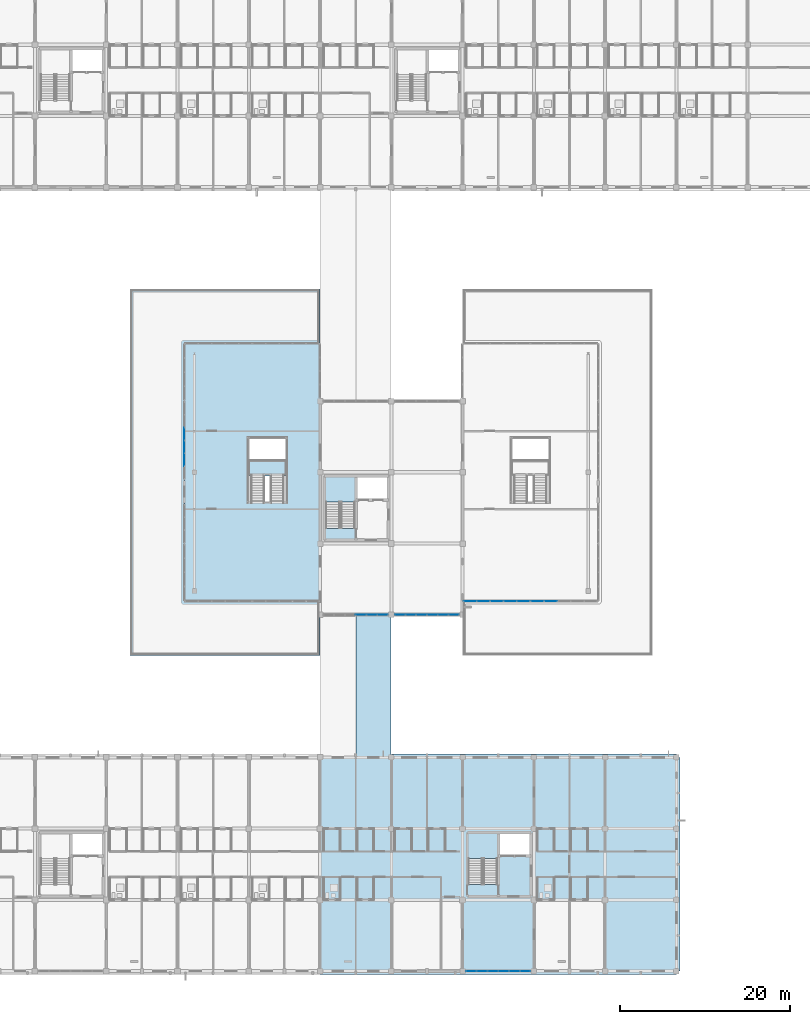
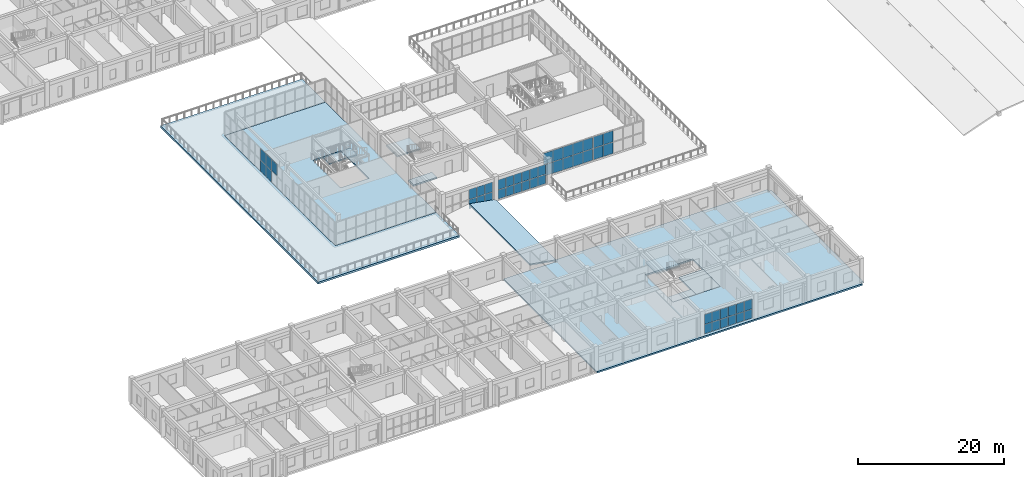
# One storey, part 54 of 90: 49 plates, 10 slabs, 9 elements without a shape of their own.
"""IFC4 building model written with IfcOpenShell, lengths in metres."""

from ifc_helpers import new_model, si_unit, direction, frame, origin, origin_2d, place, context, subcontext, project, spatial, polyline, rectangle, outline, extrude, material, layer, layer_set, type_object, element, aggregate, save


model = new_model("IFC4")

# Units and contexts
model_context = context("Model", 3, precision=1e-05, world=origin(), true_north=direction((0.0, 1.0)))
body_context = subcontext(model_context, "Body", "Model", "MODEL_VIEW")
ifc_project = project(units=[si_unit("LENGTHUNIT", "METRE"), si_unit("AREAUNIT", "SQUARE_METRE"), si_unit("VOLUMEUNIT", "CUBIC_METRE"), si_unit("PLANEANGLEUNIT", "RADIAN"), si_unit("MASSUNIT", "GRAM", prefix="KILO")], contexts=[model_context])

# Site, building, storey
site_placement = place(None, origin())
site = spatial("IfcSite", under=ifc_project, at=site_placement, CompositionType="ELEMENT")
building_placement = place(site_placement, origin())
building = spatial("IfcBuilding", under=site, at=building_placement, Name="Trelvath General Hospital", CompositionType="ELEMENT")
storey_placement = place(building_placement, frame((0.0, 0.0, 20.39990234375)))
storey = spatial("IfcBuildingStorey", under=building, at=storey_placement, Name="L05", CompositionType="ELEMENT", Elevation=20.39990234375)

# Curtain wall, plates
ifc_material_1 = material(Name="Anodised aluminium and low-E glass", Category="aluminium")
ifc_layer_1 = layer(ifc_material_1, 0.14990234375)
ifc_layer_set_1 = layer_set([ifc_layer_1], Name="Anodised aluminium and low-E glass")
curtain_wall_type_1 = type_object("IfcCurtainWallType", Name="CW Facade 764 334 15", PredefinedType="USERDEFINED", material=ifc_layer_set_1)
curtain_wall_1_placement = place(storey_placement, origin())
curtain_wall_1 = element("IfcCurtainWall", 1, at=curtain_wall_1_placement, inside=storey, type_object=curtain_wall_type_1, Name="Facade Curtain Wall CW-074", ObjectType="Unitised Glazed Curtain Wall", PredefinedType="USERDEFINED")
ifc_material_2 = material(Name="Low-E laminated glass", Category="glass")
ifc_layer_2 = layer(ifc_material_2, 0.028076171875)
ifc_layer_set_2 = layer_set([ifc_layer_2], Name="Low-E laminated glass")
plate_type_1 = type_object("IfcPlateType", Name="CurtainPanel Glass28", PredefinedType="CURTAIN_PANEL", material=ifc_layer_set_2)
plate_1_placement = place(storey_placement, frame((99.768310546875, 0.0, 0.06005859375), z_axis=(0.0, 0.0, 1.0), x_axis=(-1.0, 0.0, 0.0)))
plate_1 = element("IfcPlate", 2, at=plate_1_placement, type_object=plate_type_1, Name="CW-074 panel 1.1", PredefinedType="CURTAIN_PANEL", context=body_context, shape_type="SweptSolid", body=[
    extrude(rectangle(XDim=1.183349609375, YDim=0.028076171875, at=origin_2d()), origin(), (0.0, 0.0, 1.0), 1.512939453125),
])
plate_2_placement = place(storey_placement, frame((99.768310546875, 0.0, 1.633056640625), z_axis=(0.0, 0.0, 1.0), x_axis=(-1.0, 0.0, 0.0)))
plate_2 = element("IfcPlate", 3, at=plate_2_placement, type_object=plate_type_1, Name="CW-074 panel 1.2", PredefinedType="CURTAIN_PANEL", context=body_context, shape_type="SweptSolid", body=[
    extrude(rectangle(XDim=1.183349609375, YDim=0.028076171875, at=origin_2d()), origin(), (0.0, 0.0, 1.0), 1.64697265625),
])
plate_3_placement = place(storey_placement, frame((98.510009765625, 0.0, 0.06005859375), z_axis=(0.0, 0.0, 1.0), x_axis=(-1.0, 0.0, 0.0)))
plate_3 = element("IfcPlate", 4, at=plate_3_placement, type_object=plate_type_1, Name="CW-074 panel 2.1", PredefinedType="CURTAIN_PANEL", context=body_context, shape_type="SweptSolid", body=[
    extrude(rectangle(XDim=1.21337890625, YDim=0.028076171875, at=origin_2d()), origin(), (0.0, 0.0, 1.0), 1.512939453125),
])
plate_4_placement = place(storey_placement, frame((98.510009765625, 0.0, 1.633056640625), z_axis=(0.0, 0.0, 1.0), x_axis=(-1.0, 0.0, 0.0)))
plate_4 = element("IfcPlate", 5, at=plate_4_placement, type_object=plate_type_1, Name="CW-074 panel 2.2", PredefinedType="CURTAIN_PANEL", context=body_context, shape_type="SweptSolid", body=[
    extrude(rectangle(XDim=1.21337890625, YDim=0.028076171875, at=origin_2d()), origin(), (0.0, 0.0, 1.0), 1.64697265625),
])
plate_5_placement = place(storey_placement, frame((97.236572265625, 0.0, 0.06005859375), z_axis=(0.0, 0.0, 1.0), x_axis=(-1.0, 0.0, 0.0)))
plate_5 = element("IfcPlate", 6, at=plate_5_placement, type_object=plate_type_1, Name="CW-074 panel 3.1", PredefinedType="CURTAIN_PANEL", context=body_context, shape_type="SweptSolid", body=[
    extrude(rectangle(XDim=1.21337890625, YDim=0.028076171875, at=origin_2d()), origin(), (0.0, 0.0, 1.0), 1.512939453125),
])
plate_6_placement = place(storey_placement, frame((97.236572265625, 0.0, 1.633056640625), z_axis=(0.0, 0.0, 1.0), x_axis=(-1.0, 0.0, 0.0)))
plate_6 = element("IfcPlate", 7, at=plate_6_placement, type_object=plate_type_1, Name="CW-074 panel 3.2", PredefinedType="CURTAIN_PANEL", context=body_context, shape_type="SweptSolid", body=[
    extrude(rectangle(XDim=1.21337890625, YDim=0.028076171875, at=origin_2d()), origin(), (0.0, 0.0, 1.0), 1.64697265625),
])
plate_7_placement = place(storey_placement, frame((95.96337890625, 0.0, 0.06005859375), z_axis=(0.0, 0.0, 1.0), x_axis=(-1.0, 0.0, 0.0)))
plate_7 = element("IfcPlate", 8, at=plate_7_placement, type_object=plate_type_1, Name="CW-074 panel 4.1", PredefinedType="CURTAIN_PANEL", context=body_context, shape_type="SweptSolid", body=[
    extrude(rectangle(XDim=1.21337890625, YDim=0.028076171875, at=origin_2d()), origin(), (0.0, 0.0, 1.0), 1.512939453125),
])
plate_8_placement = place(storey_placement, frame((95.96337890625, 0.0, 1.633056640625), z_axis=(0.0, 0.0, 1.0), x_axis=(-1.0, 0.0, 0.0)))
plate_8 = element("IfcPlate", 9, at=plate_8_placement, type_object=plate_type_1, Name="CW-074 panel 4.2", PredefinedType="CURTAIN_PANEL", context=body_context, shape_type="SweptSolid", body=[
    extrude(rectangle(XDim=1.21337890625, YDim=0.028076171875, at=origin_2d()), origin(), (0.0, 0.0, 1.0), 1.64697265625),
])
plate_9_placement = place(storey_placement, frame((94.68994140625, 0.0, 0.06005859375), z_axis=(0.0, 0.0, 1.0), x_axis=(-1.0, 0.0, 0.0)))
plate_9 = element("IfcPlate", 10, at=plate_9_placement, type_object=plate_type_1, Name="CW-074 panel 5.1", PredefinedType="CURTAIN_PANEL", context=body_context, shape_type="SweptSolid", body=[
    extrude(rectangle(XDim=1.21337890625, YDim=0.028076171875, at=origin_2d()), origin(), (0.0, 0.0, 1.0), 1.512939453125),
])
plate_10_placement = place(storey_placement, frame((94.68994140625, 0.0, 1.633056640625), z_axis=(0.0, 0.0, 1.0), x_axis=(-1.0, 0.0, 0.0)))
plate_10 = element("IfcPlate", 11, at=plate_10_placement, type_object=plate_type_1, Name="CW-074 panel 5.2", PredefinedType="CURTAIN_PANEL", context=body_context, shape_type="SweptSolid", body=[
    extrude(rectangle(XDim=1.21337890625, YDim=0.028076171875, at=origin_2d()), origin(), (0.0, 0.0, 1.0), 1.64697265625),
])
plate_11_placement = place(storey_placement, frame((93.431640625, 0.0, 0.06005859375), z_axis=(0.0, 0.0, 1.0), x_axis=(-1.0, 0.0, 0.0)))
plate_11 = element("IfcPlate", 12, at=plate_11_placement, type_object=plate_type_1, Name="CW-074 panel 6.1", PredefinedType="CURTAIN_PANEL", context=body_context, shape_type="SweptSolid", body=[
    extrude(rectangle(XDim=1.183349609375, YDim=0.028076171875, at=origin_2d()), origin(), (0.0, 0.0, 1.0), 1.512939453125),
])
plate_12_placement = place(storey_placement, frame((93.431640625, 0.0, 1.633056640625), z_axis=(0.0, 0.0, 1.0), x_axis=(-1.0, 0.0, 0.0)))
plate_12 = element("IfcPlate", 13, at=plate_12_placement, type_object=plate_type_1, Name="CW-074 panel 6.2", PredefinedType="CURTAIN_PANEL", context=body_context, shape_type="SweptSolid", body=[
    extrude(rectangle(XDim=1.183349609375, YDim=0.028076171875, at=origin_2d()), origin(), (0.0, 0.0, 1.0), 1.64697265625),
])
aggregate(curtain_wall_1, [plate_1, plate_2, plate_3, plate_4, plate_5, plate_6, plate_7, plate_8, plate_9, plate_10, plate_11, plate_12])

ifc_material_3 = material(Name="Anodised aluminium and low-E glass", Category="aluminium")
ifc_layer_3 = layer(ifc_material_3, 0.14990234375)
ifc_layer_set_3 = layer_set([ifc_layer_3], Name="Anodised aluminium and low-E glass")
curtain_wall_type_2 = type_object("IfcCurtainWallType", Name="CW CrystalCube 914 396 15", PredefinedType="USERDEFINED", material=ifc_layer_set_3)
curtain_wall_2_placement = place(storey_placement, origin())
curtain_wall_2 = element("IfcCurtainWall", 14, at=curtain_wall_2_placement, inside=storey, type_object=curtain_wall_type_2, Name="Crystal Cube Curtain Wall CUBE-W-T2 W4 L05", ObjectType="Unitised Glazed Curtain Wall", PredefinedType="USERDEFINED")
plate_13_placement = place(storey_placement, frame((59.60009765625, 60.264892578125, 2.01025390625), z_axis=(0.0, 0.0, 1.0), x_axis=(0.0, 1.0, 0.0)))
plate_13 = element("IfcPlate", 15, at=plate_13_placement, type_object=plate_type_1, Name="CW-312 panel 2.2", PredefinedType="CURTAIN_PANEL", context=body_context, shape_type="SweptSolid", body=[
    extrude(rectangle(XDim=1.46337890625, YDim=0.028076171875, at=origin_2d()), origin(), (0.0, 0.0, 1.0), 1.889892578125),
])
plate_14_placement = place(storey_placement, frame((59.60009765625, 61.788330078125, 0.06005859375), z_axis=(0.0, 0.0, 1.0), x_axis=(0.0, 1.0, 0.0)))
plate_14 = element("IfcPlate", 16, at=plate_14_placement, type_object=plate_type_1, Name="CW-312 panel 3.1", PredefinedType="CURTAIN_PANEL", context=body_context, shape_type="SweptSolid", body=[
    extrude(rectangle(XDim=1.46337890625, YDim=0.028076171875, at=origin_2d()), origin(), (0.0, 0.0, 1.0), 1.889892578125),
])
plate_15_placement = place(storey_placement, frame((59.60009765625, 61.788330078125, 2.01025390625), z_axis=(0.0, 0.0, 1.0), x_axis=(0.0, 1.0, 0.0)))
plate_15 = element("IfcPlate", 17, at=plate_15_placement, type_object=plate_type_1, Name="CW-312 panel 3.2", PredefinedType="CURTAIN_PANEL", context=body_context, shape_type="SweptSolid", body=[
    extrude(rectangle(XDim=1.46337890625, YDim=0.028076171875, at=origin_2d()), origin(), (0.0, 0.0, 1.0), 1.889892578125),
])
plate_16_placement = place(storey_placement, frame((59.60009765625, 63.311767578125, 0.06005859375), z_axis=(0.0, 0.0, 1.0), x_axis=(0.0, 1.0, 0.0)))
plate_16 = element("IfcPlate", 18, at=plate_16_placement, type_object=plate_type_1, Name="CW-312 panel 4.1", PredefinedType="CURTAIN_PANEL", context=body_context, shape_type="SweptSolid", body=[
    extrude(rectangle(XDim=1.46337890625, YDim=0.028076171875, at=origin_2d()), origin(), (0.0, 0.0, 1.0), 1.889892578125),
])
plate_17_placement = place(storey_placement, frame((59.60009765625, 63.311767578125, 2.01025390625), z_axis=(0.0, 0.0, 1.0), x_axis=(0.0, 1.0, 0.0)))
plate_17 = element("IfcPlate", 19, at=plate_17_placement, type_object=plate_type_1, Name="CW-312 panel 4.2", PredefinedType="CURTAIN_PANEL", context=body_context, shape_type="SweptSolid", body=[
    extrude(rectangle(XDim=1.46337890625, YDim=0.028076171875, at=origin_2d()), origin(), (0.0, 0.0, 1.0), 1.889892578125),
])
aggregate(curtain_wall_2, [plate_13, plate_14, plate_15, plate_16, plate_17])

ifc_material_4 = material(Name="Anodised aluminium and low-E glass", Category="aluminium")
ifc_layer_4 = layer(ifc_material_4, 0.14990234375)
ifc_layer_set_4 = layer_set([ifc_layer_4], Name="Anodised aluminium and low-E glass")
curtain_wall_type_3 = type_object("IfcCurtainWallType", Name="CW CrystalCube 790 396 15", PredefinedType="USERDEFINED", material=ifc_layer_set_4)
curtain_wall_3_placement = place(storey_placement, origin())
curtain_wall_3 = element("IfcCurtainWall", 20, at=curtain_wall_3_placement, inside=storey, type_object=curtain_wall_type_3, Name="Crystal Cube Curtain Wall CUBE-E-T2 S1 L05", ObjectType="Unitised Glazed Curtain Wall", PredefinedType="USERDEFINED")
plate_18_placement = place(storey_placement, frame((99.574951171875, 43.60009765625, 0.06005859375), z_axis=(0.0, 0.0, 1.0), x_axis=(-1.0, 0.0, 0.0)))
plate_18 = element("IfcPlate", 21, at=plate_18_placement, type_object=plate_type_1, Name="CW-315 panel 1.1", PredefinedType="CURTAIN_PANEL", context=body_context, shape_type="SweptSolid", body=[
    extrude(rectangle(XDim=1.489990234375, YDim=0.028076171875, at=origin_2d()), origin(), (0.0, 0.0, 1.0), 1.889892578125),
])
plate_19_placement = place(storey_placement, frame((99.574951171875, 43.60009765625, 2.01025390625), z_axis=(0.0, 0.0, 1.0), x_axis=(-1.0, 0.0, 0.0)))
plate_19 = element("IfcPlate", 22, at=plate_19_placement, type_object=plate_type_1, Name="CW-315 panel 1.2", PredefinedType="CURTAIN_PANEL", context=body_context, shape_type="SweptSolid", body=[
    extrude(rectangle(XDim=1.489990234375, YDim=0.028076171875, at=origin_2d()), origin(), (0.0, 0.0, 1.0), 1.889892578125),
])
plate_20_placement = place(storey_placement, frame((98.010009765625, 43.60009765625, 0.06005859375), z_axis=(0.0, 0.0, 1.0), x_axis=(-1.0, 0.0, 0.0)))
plate_20 = element("IfcPlate", 23, at=plate_20_placement, type_object=plate_type_1, Name="CW-315 panel 2.1", PredefinedType="CURTAIN_PANEL", context=body_context, shape_type="SweptSolid", body=[
    extrude(rectangle(XDim=1.52001953125, YDim=0.028076171875, at=origin_2d()), origin(), (0.0, 0.0, 1.0), 1.889892578125),
])
plate_21_placement = place(storey_placement, frame((98.010009765625, 43.60009765625, 2.01025390625), z_axis=(0.0, 0.0, 1.0), x_axis=(-1.0, 0.0, 0.0)))
plate_21 = element("IfcPlate", 24, at=plate_21_placement, type_object=plate_type_1, Name="CW-315 panel 2.2", PredefinedType="CURTAIN_PANEL", context=body_context, shape_type="SweptSolid", body=[
    extrude(rectangle(XDim=1.52001953125, YDim=0.028076171875, at=origin_2d()), origin(), (0.0, 0.0, 1.0), 1.889892578125),
])
plate_22_placement = place(storey_placement, frame((96.429931640625, 43.60009765625, 0.06005859375), z_axis=(0.0, 0.0, 1.0), x_axis=(-1.0, 0.0, 0.0)))
plate_22 = element("IfcPlate", 25, at=plate_22_placement, type_object=plate_type_1, Name="CW-315 panel 3.1", PredefinedType="CURTAIN_PANEL", context=body_context, shape_type="SweptSolid", body=[
    extrude(rectangle(XDim=1.52001953125, YDim=0.028076171875, at=origin_2d()), origin(), (0.0, 0.0, 1.0), 1.889892578125),
])
plate_23_placement = place(storey_placement, frame((96.429931640625, 43.60009765625, 2.01025390625), z_axis=(0.0, 0.0, 1.0), x_axis=(-1.0, 0.0, 0.0)))
plate_23 = element("IfcPlate", 26, at=plate_23_placement, type_object=plate_type_1, Name="CW-315 panel 3.2", PredefinedType="CURTAIN_PANEL", context=body_context, shape_type="SweptSolid", body=[
    extrude(rectangle(XDim=1.52001953125, YDim=0.028076171875, at=origin_2d()), origin(), (0.0, 0.0, 1.0), 1.889892578125),
])
plate_24_placement = place(storey_placement, frame((94.85009765625, 43.60009765625, 0.06005859375), z_axis=(0.0, 0.0, 1.0), x_axis=(-1.0, 0.0, 0.0)))
plate_24 = element("IfcPlate", 27, at=plate_24_placement, type_object=plate_type_1, Name="CW-315 panel 4.1", PredefinedType="CURTAIN_PANEL", context=body_context, shape_type="SweptSolid", body=[
    extrude(rectangle(XDim=1.52001953125, YDim=0.028076171875, at=origin_2d()), origin(), (0.0, 0.0, 1.0), 1.889892578125),
])
plate_25_placement = place(storey_placement, frame((94.85009765625, 43.60009765625, 2.01025390625), z_axis=(0.0, 0.0, 1.0), x_axis=(-1.0, 0.0, 0.0)))
plate_25 = element("IfcPlate", 28, at=plate_25_placement, type_object=plate_type_1, Name="CW-315 panel 4.2", PredefinedType="CURTAIN_PANEL", context=body_context, shape_type="SweptSolid", body=[
    extrude(rectangle(XDim=1.52001953125, YDim=0.028076171875, at=origin_2d()), origin(), (0.0, 0.0, 1.0), 1.889892578125),
])
plate_26_placement = place(storey_placement, frame((93.284912109375, 43.60009765625, 0.06005859375), z_axis=(0.0, 0.0, 1.0), x_axis=(-1.0, 0.0, 0.0)))
plate_26 = element("IfcPlate", 29, at=plate_26_placement, type_object=plate_type_1, Name="CW-315 panel 5.1", PredefinedType="CURTAIN_PANEL", context=body_context, shape_type="SweptSolid", body=[
    extrude(rectangle(XDim=1.489990234375, YDim=0.028076171875, at=origin_2d()), origin(), (0.0, 0.0, 1.0), 1.889892578125),
])
plate_27_placement = place(storey_placement, frame((93.284912109375, 43.60009765625, 2.01025390625), z_axis=(0.0, 0.0, 1.0), x_axis=(-1.0, 0.0, 0.0)))
plate_27 = element("IfcPlate", 30, at=plate_27_placement, type_object=plate_type_1, Name="CW-315 panel 5.2", PredefinedType="CURTAIN_PANEL", context=body_context, shape_type="SweptSolid", body=[
    extrude(rectangle(XDim=1.489990234375, YDim=0.028076171875, at=origin_2d()), origin(), (0.0, 0.0, 1.0), 1.889892578125),
])
aggregate(curtain_wall_3, [plate_18, plate_19, plate_20, plate_21, plate_22, plate_23, plate_24, plate_25, plate_26, plate_27])

curtain_wall_4_placement = place(storey_placement, origin())
curtain_wall_4 = element("IfcCurtainWall", 31, at=curtain_wall_4_placement, inside=storey, type_object=curtain_wall_type_3, Name="Crystal Cube Curtain Wall CUBE-E-T2 S2 L05", ObjectType="Unitised Glazed Curtain Wall", PredefinedType="USERDEFINED")
plate_28_placement = place(storey_placement, frame((102.7900390625, 43.60009765625, 0.06005859375), z_axis=(0.0, 0.0, 1.0), x_axis=(-1.0, 0.0, 0.0)))
plate_28 = element("IfcPlate", 32, at=plate_28_placement, type_object=plate_type_1, Name="CW-316 panel 4.1", PredefinedType="CURTAIN_PANEL", context=body_context, shape_type="SweptSolid", body=[
    extrude(rectangle(XDim=1.52001953125, YDim=0.028076171875, at=origin_2d()), origin(), (0.0, 0.0, 1.0), 1.889892578125),
])
plate_29_placement = place(storey_placement, frame((102.7900390625, 43.60009765625, 2.01025390625), z_axis=(0.0, 0.0, 1.0), x_axis=(-1.0, 0.0, 0.0)))
plate_29 = element("IfcPlate", 33, at=plate_29_placement, type_object=plate_type_1, Name="CW-316 panel 4.2", PredefinedType="CURTAIN_PANEL", context=body_context, shape_type="SweptSolid", body=[
    extrude(rectangle(XDim=1.52001953125, YDim=0.028076171875, at=origin_2d()), origin(), (0.0, 0.0, 1.0), 1.889892578125),
])
plate_30_placement = place(storey_placement, frame((101.22509765625, 43.60009765625, 0.06005859375), z_axis=(0.0, 0.0, 1.0), x_axis=(-1.0, 0.0, 0.0)))
plate_30 = element("IfcPlate", 34, at=plate_30_placement, type_object=plate_type_1, Name="CW-316 panel 5.1", PredefinedType="CURTAIN_PANEL", context=body_context, shape_type="SweptSolid", body=[
    extrude(rectangle(XDim=1.489990234375, YDim=0.028076171875, at=origin_2d()), origin(), (0.0, 0.0, 1.0), 1.889892578125),
])
plate_31_placement = place(storey_placement, frame((101.22509765625, 43.60009765625, 2.01025390625), z_axis=(0.0, 0.0, 1.0), x_axis=(-1.0, 0.0, 0.0)))
plate_31 = element("IfcPlate", 35, at=plate_31_placement, type_object=plate_type_1, Name="CW-316 panel 5.2", PredefinedType="CURTAIN_PANEL", context=body_context, shape_type="SweptSolid", body=[
    extrude(rectangle(XDim=1.489990234375, YDim=0.028076171875, at=origin_2d()), origin(), (0.0, 0.0, 1.0), 1.889892578125),
])
aggregate(curtain_wall_4, [plate_28, plate_29, plate_30, plate_31])

curtain_wall_5_placement = place(storey_placement, origin())
curtain_wall_5 = element("IfcCurtainWall", 36, at=curtain_wall_5_placement, inside=storey, type_object=curtain_wall_type_1, Name="Facade Curtain Wall CW-070", ObjectType="Unitised Glazed Curtain Wall", PredefinedType="USERDEFINED")
ifc_material_5 = material(Name="Low-E laminated glass", Category="glass")
ifc_layer_5 = layer(ifc_material_5, 0.035888671875)
ifc_layer_set_5 = layer_set([ifc_layer_5], Name="Low-E laminated glass")
plate_type_2 = type_object("IfcPlateType", Name="CurtainPanel Glass36", PredefinedType="CURTAIN_PANEL", material=ifc_layer_set_5)
plate_32_placement = place(storey_placement, frame((82.96826171875, 42.0, 0.06005859375), z_axis=(0.0, 0.0, 1.0), x_axis=(-1.0, 0.0, 0.0)))
plate_32 = element("IfcPlate", 37, at=plate_32_placement, type_object=plate_type_2, Name="CW-070 panel 1.1", PredefinedType="CURTAIN_PANEL", context=body_context, shape_type="SweptSolid", body=[
    extrude(rectangle(XDim=1.183349609375, YDim=0.035888671875, at=origin_2d()), origin(), (0.0, 0.0, 1.0), 1.512939453125),
])
plate_33_placement = place(storey_placement, frame((82.96826171875, 42.0, 1.633056640625), z_axis=(0.0, 0.0, 1.0), x_axis=(-1.0, 0.0, 0.0)))
plate_33 = element("IfcPlate", 38, at=plate_33_placement, type_object=plate_type_2, Name="CW-070 panel 1.2", PredefinedType="CURTAIN_PANEL", context=body_context, shape_type="SweptSolid", body=[
    extrude(rectangle(XDim=1.183349609375, YDim=0.035888671875, at=origin_2d()), origin(), (0.0, 0.0, 1.0), 1.64697265625),
])
plate_34_placement = place(storey_placement, frame((81.7099609375, 42.0, 0.06005859375), z_axis=(0.0, 0.0, 1.0), x_axis=(-1.0, 0.0, 0.0)))
plate_34 = element("IfcPlate", 39, at=plate_34_placement, type_object=plate_type_2, Name="CW-070 panel 2.1", PredefinedType="CURTAIN_PANEL", context=body_context, shape_type="SweptSolid", body=[
    extrude(rectangle(XDim=1.21337890625, YDim=0.035888671875, at=origin_2d()), origin(), (0.0, 0.0, 1.0), 1.512939453125),
])
plate_35_placement = place(storey_placement, frame((81.7099609375, 42.0, 1.633056640625), z_axis=(0.0, 0.0, 1.0), x_axis=(-1.0, 0.0, 0.0)))
plate_35 = element("IfcPlate", 40, at=plate_35_placement, type_object=plate_type_2, Name="CW-070 panel 2.2", PredefinedType="CURTAIN_PANEL", context=body_context, shape_type="SweptSolid", body=[
    extrude(rectangle(XDim=1.21337890625, YDim=0.035888671875, at=origin_2d()), origin(), (0.0, 0.0, 1.0), 1.64697265625),
])
plate_36_placement = place(storey_placement, frame((80.436767578125, 42.0, 0.06005859375), z_axis=(0.0, 0.0, 1.0), x_axis=(-1.0, 0.0, 0.0)))
plate_36 = element("IfcPlate", 41, at=plate_36_placement, type_object=plate_type_2, Name="CW-070 panel 3.1", PredefinedType="CURTAIN_PANEL", context=body_context, shape_type="SweptSolid", body=[
    extrude(rectangle(XDim=1.21337890625, YDim=0.035888671875, at=origin_2d()), origin(), (0.0, 0.0, 1.0), 1.512939453125),
])
plate_37_placement = place(storey_placement, frame((80.436767578125, 42.0, 1.633056640625), z_axis=(0.0, 0.0, 1.0), x_axis=(-1.0, 0.0, 0.0)))
plate_37 = element("IfcPlate", 42, at=plate_37_placement, type_object=plate_type_2, Name="CW-070 panel 3.2", PredefinedType="CURTAIN_PANEL", context=body_context, shape_type="SweptSolid", body=[
    extrude(rectangle(XDim=1.21337890625, YDim=0.035888671875, at=origin_2d()), origin(), (0.0, 0.0, 1.0), 1.64697265625),
])
aggregate(curtain_wall_5, [plate_32, plate_33, plate_34, plate_35, plate_36, plate_37])

curtain_wall_6_placement = place(storey_placement, origin())
curtain_wall_6 = element("IfcCurtainWall", 43, at=curtain_wall_6_placement, inside=storey, type_object=curtain_wall_type_1, Name="Facade Curtain Wall CW-072", ObjectType="Unitised Glazed Curtain Wall", PredefinedType="USERDEFINED")
plate_38_placement = place(storey_placement, frame((91.368408203125, 42.0, 0.06005859375), z_axis=(0.0, 0.0, 1.0), x_axis=(-1.0, 0.0, 0.0)))
plate_38 = element("IfcPlate", 44, at=plate_38_placement, type_object=plate_type_2, Name="CW-072 panel 1.1", PredefinedType="CURTAIN_PANEL", context=body_context, shape_type="SweptSolid", body=[
    extrude(rectangle(XDim=1.183349609375, YDim=0.035888671875, at=origin_2d()), origin(), (0.0, 0.0, 1.0), 1.512939453125),
])
plate_39_placement = place(storey_placement, frame((91.368408203125, 42.0, 1.633056640625), z_axis=(0.0, 0.0, 1.0), x_axis=(-1.0, 0.0, 0.0)))
plate_39 = element("IfcPlate", 45, at=plate_39_placement, type_object=plate_type_2, Name="CW-072 panel 1.2", PredefinedType="CURTAIN_PANEL", context=body_context, shape_type="SweptSolid", body=[
    extrude(rectangle(XDim=1.183349609375, YDim=0.035888671875, at=origin_2d()), origin(), (0.0, 0.0, 1.0), 1.64697265625),
])
plate_40_placement = place(storey_placement, frame((90.110107421875, 42.0, 0.06005859375), z_axis=(0.0, 0.0, 1.0), x_axis=(-1.0, 0.0, 0.0)))
plate_40 = element("IfcPlate", 46, at=plate_40_placement, type_object=plate_type_2, Name="CW-072 panel 2.1", PredefinedType="CURTAIN_PANEL", context=body_context, shape_type="SweptSolid", body=[
    extrude(rectangle(XDim=1.21337890625, YDim=0.035888671875, at=origin_2d()), origin(), (0.0, 0.0, 1.0), 1.512939453125),
])
plate_41_placement = place(storey_placement, frame((90.110107421875, 42.0, 1.633056640625), z_axis=(0.0, 0.0, 1.0), x_axis=(-1.0, 0.0, 0.0)))
plate_41 = element("IfcPlate", 47, at=plate_41_placement, type_object=plate_type_2, Name="CW-072 panel 2.2", PredefinedType="CURTAIN_PANEL", context=body_context, shape_type="SweptSolid", body=[
    extrude(rectangle(XDim=1.21337890625, YDim=0.035888671875, at=origin_2d()), origin(), (0.0, 0.0, 1.0), 1.64697265625),
])
plate_42_placement = place(storey_placement, frame((88.836669921875, 42.0, 0.06005859375), z_axis=(0.0, 0.0, 1.0), x_axis=(-1.0, 0.0, 0.0)))
plate_42 = element("IfcPlate", 48, at=plate_42_placement, type_object=plate_type_2, Name="CW-072 panel 3.1", PredefinedType="CURTAIN_PANEL", context=body_context, shape_type="SweptSolid", body=[
    extrude(rectangle(XDim=1.21337890625, YDim=0.035888671875, at=origin_2d()), origin(), (0.0, 0.0, 1.0), 1.512939453125),
])
plate_43_placement = place(storey_placement, frame((88.836669921875, 42.0, 1.633056640625), z_axis=(0.0, 0.0, 1.0), x_axis=(-1.0, 0.0, 0.0)))
plate_43 = element("IfcPlate", 49, at=plate_43_placement, type_object=plate_type_2, Name="CW-072 panel 3.2", PredefinedType="CURTAIN_PANEL", context=body_context, shape_type="SweptSolid", body=[
    extrude(rectangle(XDim=1.21337890625, YDim=0.035888671875, at=origin_2d()), origin(), (0.0, 0.0, 1.0), 1.64697265625),
])
plate_44_placement = place(storey_placement, frame((87.563232421875, 42.0, 0.06005859375), z_axis=(0.0, 0.0, 1.0), x_axis=(-1.0, 0.0, 0.0)))
plate_44 = element("IfcPlate", 50, at=plate_44_placement, type_object=plate_type_2, Name="CW-072 panel 4.1", PredefinedType="CURTAIN_PANEL", context=body_context, shape_type="SweptSolid", body=[
    extrude(rectangle(XDim=1.21337890625, YDim=0.035888671875, at=origin_2d()), origin(), (0.0, 0.0, 1.0), 1.512939453125),
])
plate_45_placement = place(storey_placement, frame((87.563232421875, 42.0, 1.633056640625), z_axis=(0.0, 0.0, 1.0), x_axis=(-1.0, 0.0, 0.0)))
plate_45 = element("IfcPlate", 51, at=plate_45_placement, type_object=plate_type_2, Name="CW-072 panel 4.2", PredefinedType="CURTAIN_PANEL", context=body_context, shape_type="SweptSolid", body=[
    extrude(rectangle(XDim=1.21337890625, YDim=0.035888671875, at=origin_2d()), origin(), (0.0, 0.0, 1.0), 1.64697265625),
])
plate_46_placement = place(storey_placement, frame((86.2900390625, 42.0, 0.06005859375), z_axis=(0.0, 0.0, 1.0), x_axis=(-1.0, 0.0, 0.0)))
plate_46 = element("IfcPlate", 52, at=plate_46_placement, type_object=plate_type_2, Name="CW-072 panel 5.1", PredefinedType="CURTAIN_PANEL", context=body_context, shape_type="SweptSolid", body=[
    extrude(rectangle(XDim=1.21337890625, YDim=0.035888671875, at=origin_2d()), origin(), (0.0, 0.0, 1.0), 1.512939453125),
])
plate_47_placement = place(storey_placement, frame((86.2900390625, 42.0, 1.633056640625), z_axis=(0.0, 0.0, 1.0), x_axis=(-1.0, 0.0, 0.0)))
plate_47 = element("IfcPlate", 53, at=plate_47_placement, type_object=plate_type_2, Name="CW-072 panel 5.2", PredefinedType="CURTAIN_PANEL", context=body_context, shape_type="SweptSolid", body=[
    extrude(rectangle(XDim=1.21337890625, YDim=0.035888671875, at=origin_2d()), origin(), (0.0, 0.0, 1.0), 1.64697265625),
])
plate_48_placement = place(storey_placement, frame((85.03173828125, 42.0, 0.06005859375), z_axis=(0.0, 0.0, 1.0), x_axis=(-1.0, 0.0, 0.0)))
plate_48 = element("IfcPlate", 54, at=plate_48_placement, type_object=plate_type_2, Name="CW-072 panel 6.1", PredefinedType="CURTAIN_PANEL", context=body_context, shape_type="SweptSolid", body=[
    extrude(rectangle(XDim=1.183349609375, YDim=0.035888671875, at=origin_2d()), origin(), (0.0, 0.0, 1.0), 1.512939453125),
])
plate_49_placement = place(storey_placement, frame((85.03173828125, 42.0, 1.633056640625), z_axis=(0.0, 0.0, 1.0), x_axis=(-1.0, 0.0, 0.0)))
plate_49 = element("IfcPlate", 55, at=plate_49_placement, type_object=plate_type_2, Name="CW-072 panel 6.2", PredefinedType="CURTAIN_PANEL", context=body_context, shape_type="SweptSolid", body=[
    extrude(rectangle(XDim=1.183349609375, YDim=0.035888671875, at=origin_2d()), origin(), (0.0, 0.0, 1.0), 1.64697265625),
])
aggregate(curtain_wall_6, [plate_38, plate_39, plate_40, plate_41, plate_42, plate_43, plate_44, plate_45, plate_46, plate_47, plate_48, plate_49])

# Slabs
ifc_material_6 = material(Name="Concrete C35/45", Category="concrete")
ifc_layer_6 = layer(ifc_material_6, 0.239990234375)
ifc_layer_set_6 = layer_set([ifc_layer_6], Name="Concrete C35/45")
slab_type_1 = type_object("IfcSlabType", Name="FlatSlab Cube240", PredefinedType="FLOOR", material=ifc_layer_set_6)
slab_1_placement = place(storey_placement, frame((0.0, 0.0, -0.239990234375)))
element("IfcSlab", 56, at=slab_1_placement, inside=storey, type_object=slab_type_1, Name="Crystal Cube Slab CUBE-W-T2 L05", PredefinedType="FLOOR", context=body_context, shape_type="SweptSolid", body=[
    extrude(outline(polyline([(59.60009765625, 43.60009765625), (75.60009765625, 43.60009765625), (75.60009765625, 74.0), (59.60009765625, 74.0), (59.60009765625, 43.60009765625)]), holes=[polyline([(67.14990234375, 55.25), (71.64990234375, 55.25), (71.64990234375, 62.85009765625), (67.14990234375, 62.85009765625), (67.14990234375, 55.25)])]), origin(), (0.0, 0.0, 1.0), 0.239990234375),
])
ifc_material_7 = material(Name="Concrete C35/45", Category="concrete")
ifc_layer_7 = layer(ifc_material_7, 0.260009765625)
ifc_layer_set_7 = layer_set([ifc_layer_7], Name="Concrete C35/45")
slab_type_2 = type_object("IfcSlabType", Name="FlatSlab Ward260", PredefinedType="FLOOR", material=ifc_layer_set_7)
slab_2_placement = place(storey_placement, frame((0.0, 0.0, -0.260009765625)))
element("IfcSlab", 57, at=slab_2_placement, inside=storey, type_object=slab_type_2, Name="Floor Slab SL-L05-V6-S1", PredefinedType="FLOOR", context=body_context, shape_type="SweptSolid", body=[
    extrude(outline(polyline([(84.0, 25.199951171875), (84.0, 25.6201171875), (117.60009765625, 25.6201171875), (117.60009765625, 25.199951171875), (118.02001953125, 25.199951171875), (118.02001953125, 0.0), (117.60009765625, 0.0), (117.60009765625, -0.419921875), (75.6201171875, -0.419921875), (75.6201171875, 25.199951171875), (84.0, 25.199951171875)]), holes=[polyline([(92.949951171875, 8.800048828125), (100.449951171875, 8.800048828125), (100.449951171875, 16.35009765625), (92.949951171875, 16.35009765625), (92.949951171875, 8.800048828125)])]), origin(), (0.0, 0.0, 1.0), 0.260009765625),
])
slab_3_placement = place(storey_placement, frame((0.0, 0.0, -0.260009765625)))
element("IfcSlab", 58, at=slab_3_placement, inside=storey, type_object=slab_type_2, Name="Core Lobby Slab C5 L05", PredefinedType="FLOOR", context=body_context, shape_type="SweptSolid", body=[
    extrude(outline(polyline([(96.64990234375, 8.800048828125), (100.449951171875, 8.800048828125), (100.449951171875, 13.550048828125), (96.64990234375, 13.550048828125), (96.64990234375, 8.800048828125)])), origin(), (0.0, 0.0, 1.0), 0.260009765625),
])
slab_4_placement = place(storey_placement, frame((0.0, 0.0, -0.260009765625)))
element("IfcSlab", 59, at=slab_4_placement, inside=storey, type_object=slab_type_2, Name="Stair Landing Slab C5 L05", PredefinedType="FLOOR", context=body_context, shape_type="SweptSolid", body=[
    extrude(outline(polyline([(92.949951171875, 8.800048828125), (96.64990234375, 8.800048828125), (96.64990234375, 10.199951171875), (92.949951171875, 10.199951171875), (92.949951171875, 8.800048828125)])), origin(), (0.0, 0.0, 1.0), 0.260009765625),
])
slab_5_placement = place(storey_placement, frame((0.0, 0.0, -0.260009765625)))
element("IfcSlab", 60, at=slab_5_placement, inside=storey, type_object=slab_type_2, Name="Stair Landing Slab C6 L05", PredefinedType="FLOOR", context=body_context, shape_type="SweptSolid", body=[
    extrude(outline(polyline([(76.14990234375, 50.800048828125), (79.85009765625, 50.800048828125), (79.85009765625, 52.199951171875), (76.14990234375, 52.199951171875), (76.14990234375, 50.800048828125)])), origin(), (0.0, 0.0, 1.0), 0.260009765625),
])
ifc_material_8 = material(Name="Concrete C35/45", Category="concrete")
ifc_layer_8 = layer(ifc_material_8, 0.320068359375)
ifc_layer_set_8 = layer_set([ifc_layer_8], Name="Concrete C35/45")
slab_type_3 = type_object("IfcSlabType", Name="PlantedTerraceSlab 320", PredefinedType="ROOF", material=ifc_layer_set_8)
slab_6_placement = place(storey_placement, frame((0.0, 0.0, -0.31982421875)))
element("IfcSlab", 61, at=slab_6_placement, inside=storey, type_object=slab_type_3, Name="Crystal Cube Planted Terrace TERR-CW-U5 L05", PredefinedType="ROOF", context=body_context, shape_type="SweptSolid", body=[
    extrude(outline(polyline([(53.199951171875, 37.199951171875), (75.60009765625, 37.199951171875), (75.60009765625, 43.60009765625), (59.60009765625, 43.60009765625), (59.60009765625, 74.0), (75.60009765625, 74.0), (75.60009765625, 80.39990234375), (53.199951171875, 80.39990234375), (53.199951171875, 37.199951171875)])), origin(), (0.0, 0.0, 1.0), 0.31982421875),
])
ifc_material_9 = material(Name="Concrete C35/45", Category="concrete")
ifc_layer_9 = layer(ifc_material_9, 0.219970703125)
ifc_layer_set_9 = layer_set([ifc_layer_9], Name="Concrete C35/45")
slab_type_4 = type_object("IfcSlabType", Name="RoofSlab Folded220", PredefinedType="ROOF", material=ifc_layer_set_9)
slab_7_placement = place(storey_placement, frame((79.85009765625, 25.260009765625, 0.9501953125), z_axis=(0.171798287749, 0.0, 0.985132147647), x_axis=(0.985132147647, 0.0, -0.171798287749)))
element("IfcSlab", 62, at=slab_7_placement, inside=storey, type_object=slab_type_4, Name="Glazed Bridge Gable Roof BRG-S-C E", PredefinedType="ROOF", context=body_context, shape_type="SweptSolid", body=[
    extrude(outline(polyline([(0.0, 0.0), (4.19221200157396, 0.0), (4.19221200157396, 16.679931640624996), (0.0, 16.679931640624996), (0.0, 0.0)])), origin(), (0.0, 0.0, -1.0), 0.219970703125),
])

# Stair, slab
ifc_material_10 = material(Name="Concrete C35/45", Category="concrete")
stair_type_1 = type_object("IfcStairType", Name="Stair Stretcher420", PredefinedType="TWO_STRAIGHT_RUN_STAIR", material=ifc_material_10)
stair_1_placement = place(storey_placement, origin())
stair_1 = element("IfcStair", 63, at=stair_1_placement, inside=storey, type_object=stair_type_1, Name="Exit Stair ST5 L05", PredefinedType="TWO_STRAIGHT_RUN_STAIR")
ifc_material_11 = material(Name="Concrete C35/45", Category="concrete")
ifc_layer_10 = layer(ifc_material_11, 0.199951171875)
ifc_layer_set_10 = layer_set([ifc_layer_10], Name="Concrete C35/45")
slab_type_5 = type_object("IfcSlabType", Name="StairLanding 200", PredefinedType="LANDING", material=ifc_layer_set_10)
slab_8_placement = place(storey_placement, frame((0.0, 0.0, 1.900146484375)))
slab_8 = element("IfcSlab", 64, at=slab_8_placement, type_object=slab_type_5, Name="ST5-L05 landing 1", PredefinedType="LANDING", context=body_context, shape_type="SweptSolid", body=[
    extrude(outline(polyline([(92.9599609375, 13.280029296875), (96.639892578125, 13.280029296875), (96.639892578125, 16.340087890625), (92.9599609375, 16.340087890625), (92.9599609375, 13.280029296875)])), origin(), (0.0, 0.0, 1.0), 0.199951171875),
])
aggregate(stair_1, [slab_8])

stair_2_placement = place(storey_placement, origin())
stair_2 = element("IfcStair", 65, at=stair_2_placement, inside=storey, type_object=stair_type_1, Name="Exit Stair ST6 L05", PredefinedType="TWO_STRAIGHT_RUN_STAIR")
slab_9_placement = place(storey_placement, frame((0.0, 0.0, 1.900146484375)))
slab_9 = element("IfcSlab", 66, at=slab_9_placement, type_object=slab_type_5, Name="ST6-L05 landing 1", PredefinedType="LANDING", context=body_context, shape_type="SweptSolid", body=[
    extrude(outline(polyline([(76.159912109375, 55.280029296875), (79.840087890625, 55.280029296875), (79.840087890625, 58.340087890625), (76.159912109375, 58.340087890625), (76.159912109375, 55.280029296875)])), origin(), (0.0, 0.0, 1.0), 0.199951171875),
])
aggregate(stair_2, [slab_9])

ifc_material_12 = material(Name="Concrete C35/45", Category="concrete")
stair_type_2 = type_object("IfcStairType", Name="Stair PublicCube420", PredefinedType="TWO_STRAIGHT_RUN_STAIR", material=ifc_material_12)
stair_3_placement = place(storey_placement, origin())
stair_3 = element("IfcStair", 67, at=stair_3_placement, inside=storey, type_object=stair_type_2, Name="Public Cube Feature Stair ST9 L05", PredefinedType="TWO_STRAIGHT_RUN_STAIR")
slab_10_placement = place(storey_placement, frame((0.0, 0.0, 1.900146484375)))
slab_10 = element("IfcSlab", 68, at=slab_10_placement, type_object=slab_type_5, Name="ST9-L05 landing 1", PredefinedType="LANDING", context=body_context, shape_type="SweptSolid", body=[
    extrude(outline(polyline([(67.199951171875, 58.389892578125), (71.60009765625, 58.389892578125), (71.60009765625, 60.219970703125), (67.199951171875, 60.219970703125), (67.199951171875, 58.389892578125)])), origin(), (0.0, 0.0, 1.0), 0.199951171875),
])
aggregate(stair_3, [slab_10])

save(model, "model.ifc")
